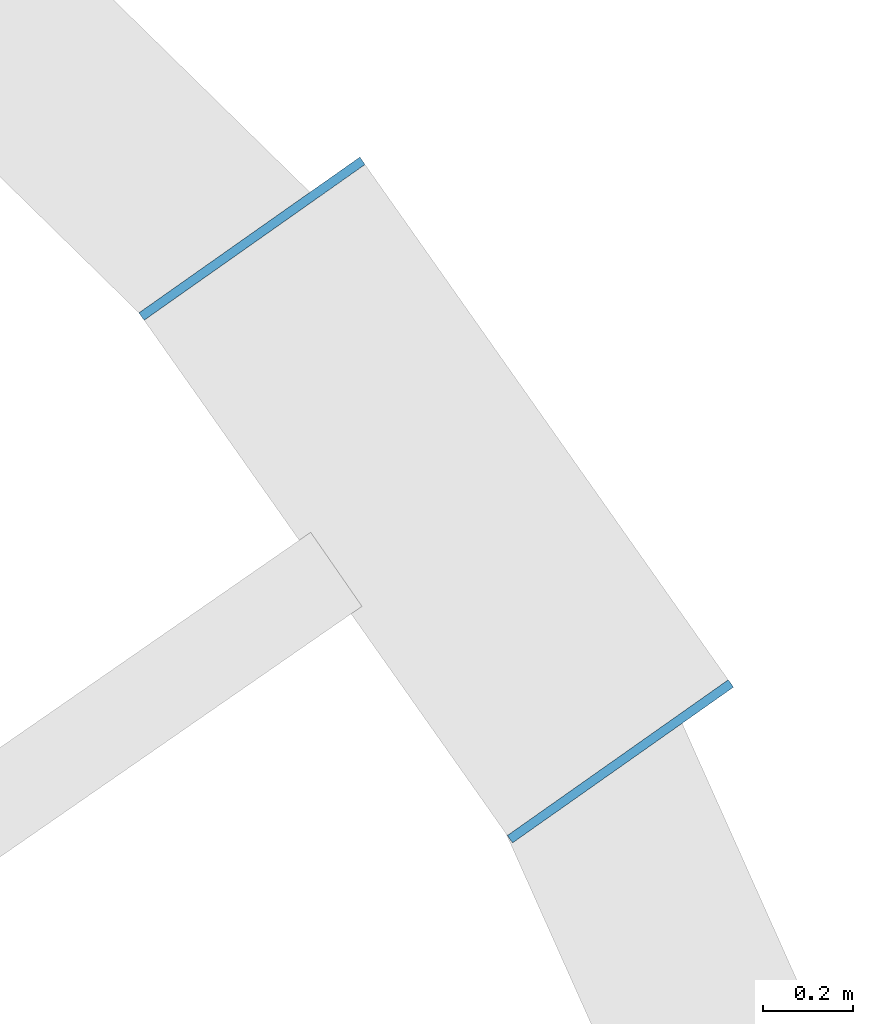
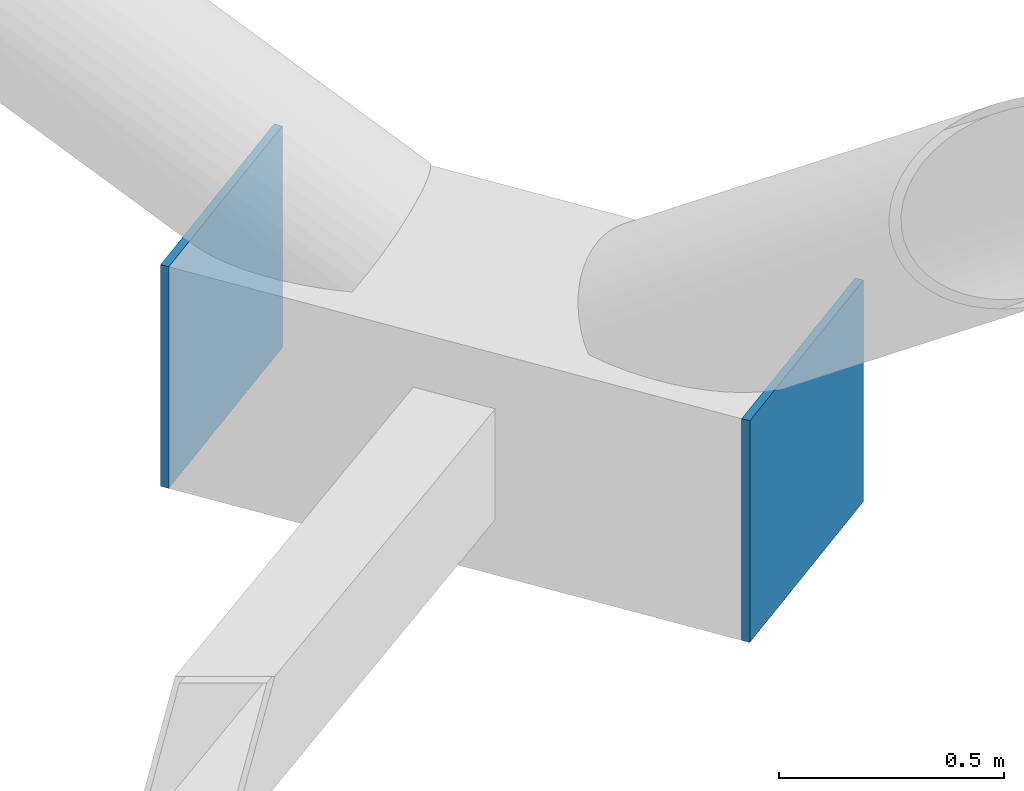
# One storey, part 12 of 16: 2 discrete accessories.
"""IFC4 building model written with IfcOpenShell, lengths in metres."""

from ifc_helpers import new_model, si_unit, direction, frame, origin, origin_2d, place, context, subcontext, project, spatial, rectangle, extrude, material, layer, layer_set, type_object, element, save


model = new_model("IFC4")

# Units and contexts
model_context = context("Model", 3, precision=1e-05, world=origin(), true_north=direction((0.0, 1.0)))
body_context = subcontext(model_context, "Body", "Model", "MODEL_VIEW")
ifc_project = project(units=[si_unit("LENGTHUNIT", "METRE"), si_unit("AREAUNIT", "SQUARE_METRE"), si_unit("VOLUMEUNIT", "CUBIC_METRE"), si_unit("PLANEANGLEUNIT", "RADIAN"), si_unit("MASSUNIT", "GRAM", prefix="KILO")], contexts=[model_context])

# Site, building, storey
site_placement = place(None, origin())
site = spatial("IfcSite", under=ifc_project, at=site_placement, CompositionType="ELEMENT")
building_placement = place(site_placement, origin())
building = spatial("IfcBuilding", under=site, at=building_placement, Name="Siaravel Broadcast Tower", CompositionType="ELEMENT")
storey_placement = place(building_placement, frame((0.0, 0.0, 152.60009765625)))
storey = spatial("IfcBuildingStorey", under=building, at=storey_placement, Name="L36", CompositionType="ELEMENT", Elevation=152.60009765625)

# Discrete accessories
ifc_material = material(Name="Steel S355", Category="steel")
ifc_layer = layer(ifc_material, 0.02001953125)
ifc_layer_set = layer_set([ifc_layer], Name="Steel S355")
discrete_accessory_type = type_object("IfcDiscreteAccessoryType", Name="Steel end plate 20 mm", PredefinedType="USERDEFINED", material=ifc_layer_set)
for number, where, z_axis, x_axis, name in (
    (1, (22.892822265625, 12.093017578125, -0.500244140625), (0.0, 0.0, 1.0), (-0.576118513, 0.817366172, 0.0), "End plate R15 station 06A"),
    (2, (23.7109375, 10.9326171875, -0.500244140625), (0.0, 0.0, 1.0), (-0.576118513, 0.817366172, 0.0), "End plate R15 station 06B"),
):
    element("IfcDiscreteAccessory", number, at=place(storey_placement, frame(where, z_axis=z_axis, x_axis=x_axis)), inside=storey, type_object=discrete_accessory_type, Name=name, ObjectType="END PLATE", PredefinedType="USERDEFINED", context=body_context, shape_type="SweptSolid", body=[
        extrude(rectangle(XDim=0.02001953125, YDim=0.60009765625, at=origin_2d()), origin(), (0.0, 0.0, 1.0), 0.60009765625),
    ])

save(model, "model.ifc")
